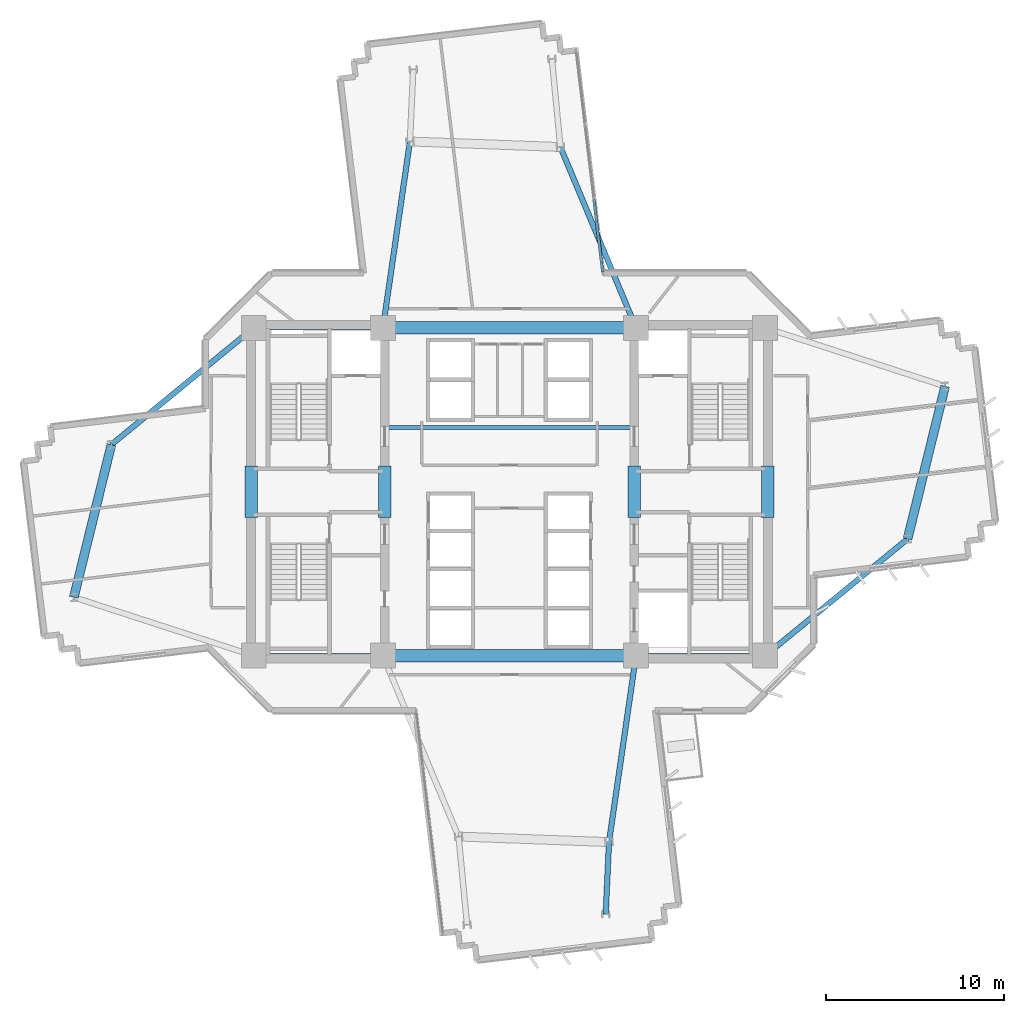
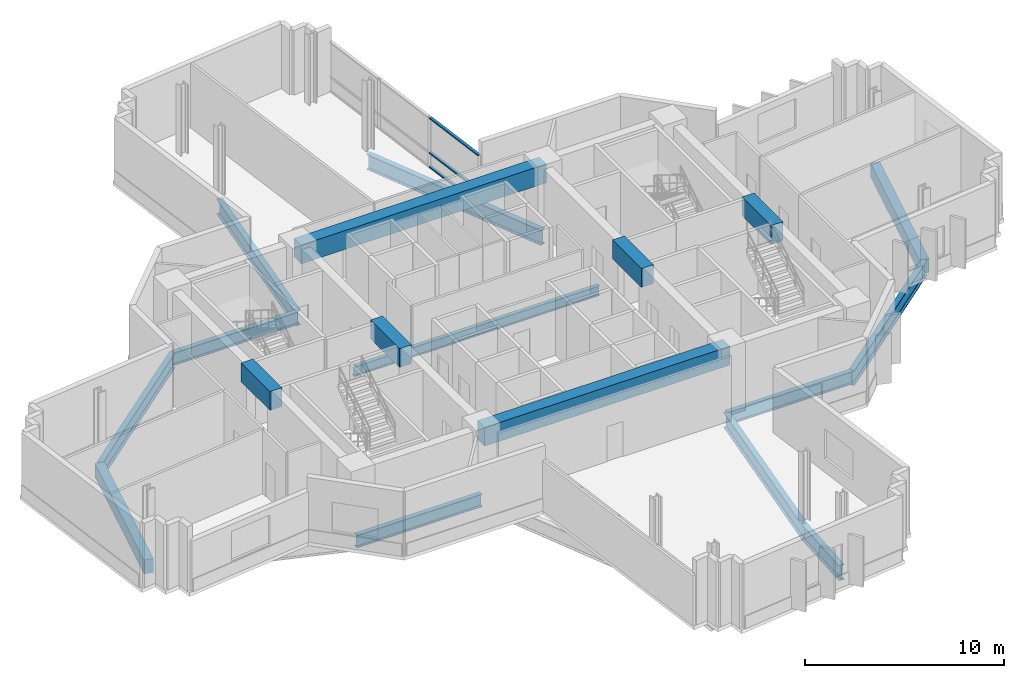
# One storey, part 3 of 15: 18 beams, 3 members, 1 element without a shape of its own.
"""IFC4 building model written with IfcOpenShell, lengths in metres."""

from ifc_helpers import new_model, si_unit, direction, frame, origin, origin_2d, place, context, subcontext, project, spatial, rectangle, i_section, extrude, source, transform, mapped, material, layer, layer_set, material_profile, profile_set, type_object, element, aggregate, save


model = new_model("IFC4")

# Units and contexts
model_context = context("Model", 3, precision=1e-05, world=origin(), true_north=direction((0.0, 1.0)))
body_context = subcontext(model_context, "Body", "Model", "MODEL_VIEW")
ifc_project = project(units=[si_unit("LENGTHUNIT", "METRE"), si_unit("AREAUNIT", "SQUARE_METRE"), si_unit("VOLUMEUNIT", "CUBIC_METRE"), si_unit("PLANEANGLEUNIT", "RADIAN"), si_unit("MASSUNIT", "GRAM", prefix="KILO")], contexts=[model_context])

# Site, building, storey
site_placement = place(None, origin())
site = spatial("IfcSite", under=ifc_project, at=site_placement, CompositionType="ELEMENT")
building_placement = place(site_placement, origin())
building = spatial("IfcBuilding", under=site, at=building_placement, Name="Zahravan Cultural Tower", CompositionType="ELEMENT")
storey_placement = place(building_placement, frame((0.0, 0.0, 113.10009765625)))
storey = spatial("IfcBuildingStorey", under=building, at=storey_placement, Name="L25", CompositionType="ELEMENT", Elevation=113.10009765625)

# Beams
ifc_material_1 = material(Name="Concrete C50/60", Category="concrete")
ifc_material_profile_1 = material_profile(ifc_material_1, rectangle(XDim=0.699951171875, YDim=1.14990234375, at=origin_2d()), Name="RC700X1150")
ifc_profile_set_1 = profile_set([ifc_material_profile_1], Name="Concrete C50/60")
beam_type_1 = type_object("IfcBeamType", Name="BM-LN-RC700X1150", PredefinedType="LINTEL", material=ifc_profile_set_1)
shared_shape_1 = source(origin(), body_context, "Body", "SweptSolid", [
    extrude(rectangle(XDim=0.699951171875, YDim=1.14990234375, at=origin_2d()), origin(), (0.0, 0.0, 1.0), 14.2001953125),
])
for number, where, z_axis, x_axis, name in (
    (1, (28.89990234375, 17.800048828125, 3.375), (1.0, 0.0, 0.0), (0.0, 1.0, 0.0), "L25 Beam LN-L25-S"),
    (2, (28.89990234375, 36.199951171875, 3.375), (1.0, 0.0, 0.0), (0.0, 1.0, 0.0), "L25 Beam LN-L25-N"),
):
    element("IfcBeam", number, at=place(storey_placement, frame(where, z_axis=z_axis, x_axis=x_axis)), inside=storey, type_object=beam_type_1, Name=name, PredefinedType="LINTEL", context=body_context, shape_type="MappedRepresentation", body=[
        mapped(shared_shape_1, transform((0.0, 0.0, 0.0), x_axis=(1.0, 0.0, 0.0), y_axis=(0.0, 1.0, 0.0), z_axis=(0.0, 0.0, 1.0), scale=1.0)),
    ])
shared_shape_2 = source(origin(), body_context, "Body", "SweptSolid", [
    extrude(rectangle(XDim=0.699951171875, YDim=1.14990234375, at=origin_2d()), origin(), (0.0, 0.0, 1.0), 2.89990234375),
])
for number, where, z_axis, x_axis, name in (
    (3, (21.5, 25.550048828125, 3.375), (0.0, 1.0, 0.0), (-1.0, 0.0, 0.0), "L25 Beam LN-L25-PWW"),
    (4, (29.0, 25.550048828125, 3.375), (0.0, 1.0, 0.0), (-1.0, 0.0, 0.0), "L25 Beam LN-L25-PWE"),
    (5, (43.0, 25.550048828125, 3.375), (0.0, 1.0, 0.0), (-1.0, 0.0, 0.0), "L25 Beam LN-L25-PEW"),
    (6, (50.5, 25.550048828125, 3.375), (0.0, 1.0, 0.0), (-1.0, 0.0, 0.0), "L25 Beam LN-L25-PEE"),
):
    element("IfcBeam", number, at=place(storey_placement, frame(where, z_axis=z_axis, x_axis=x_axis)), inside=storey, type_object=beam_type_1, Name=name, PredefinedType="LINTEL", context=body_context, shape_type="MappedRepresentation", body=[
        mapped(shared_shape_2, transform((0.0, 0.0, 0.0), x_axis=(1.0, 0.0, 0.0), y_axis=(0.0, 1.0, 0.0), z_axis=(0.0, 0.0, 1.0), scale=1.0)),
    ])
ifc_material_2 = material(Name="Steel ASTM A992 Grade 50", Category="steel")
ifc_material_profile_2 = material_profile(ifc_material_2, i_section(OverallWidth=0.26611328125, OverallDepth=0.780029296875, WebThickness=0.0166015625, FlangeThickness=0.030029296875, FilletRadius=0.01904296875, at=origin_2d()), Name="W30X148")
ifc_profile_set_2 = profile_set([ifc_material_profile_2], Name="Steel ASTM A992 Grade 50")
beam_type_2 = type_object("IfcBeamType", Name="BM-G-W30X148", PredefinedType="BEAM", material=ifc_profile_set_2)
shared_shape_3 = source(origin(), body_context, "Body", "SweptSolid", [
    extrude(i_section(OverallWidth=0.26611328125, OverallDepth=0.780029296875, WebThickness=0.0166015625, FlangeThickness=0.030029296875, FilletRadius=0.01904296875, at=origin_2d()), origin(), (0.0, 0.0, 1.0), 7.25),
])
for number, where, z_axis, x_axis, name in (
    (7, (21.64990234375, 17.800048828125, -0.64013671875), (1.0, 0.0, 0.0), (0.0, 1.0, 0.0), "L25 Beam BG-L25-01"),
    (8, (21.64990234375, 36.199951171875, -0.64013671875), (1.0, 0.0, 0.0), (0.0, 1.0, 0.0), "L25 Beam BG-L25-02"),
    (9, (43.10009765625, 17.800048828125, -0.64013671875), (1.0, 0.0, 0.0), (0.0, 1.0, 0.0), "L25 Beam BG-L25-04"),
):
    element("IfcBeam", number, at=place(storey_placement, frame(where, z_axis=z_axis, x_axis=x_axis)), inside=storey, type_object=beam_type_2, Name=name, PredefinedType="BEAM", context=body_context, shape_type="MappedRepresentation", body=[
        mapped(shared_shape_3, transform((0.0, 0.0, 0.0), x_axis=(1.0, 0.0, 0.0), y_axis=(0.0, 1.0, 0.0), z_axis=(0.0, 0.0, 1.0), scale=1.0)),
    ])
ifc_material_profile_3 = material_profile(ifc_material_2, i_section(OverallWidth=0.30908203125, OverallDepth=0.931884765625, WebThickness=0.02099609375, FlangeThickness=0.034423828125, FilletRadius=0.02392578125, at=origin_2d()), Name="W36X210")
ifc_profile_set_3 = profile_set([ifc_material_profile_3], Name="Steel ASTM A992 Grade 50")
beam_type_3 = type_object("IfcBeamType", Name="BM-G-W36X210", PredefinedType="BEAM", material=ifc_profile_set_3)
shared_shape_4 = source(origin(), body_context, "Body", "SweptSolid", [
    extrude(i_section(OverallWidth=0.30908203125, OverallDepth=0.931884765625, WebThickness=0.02099609375, FlangeThickness=0.034423828125, FilletRadius=0.02392578125, at=origin_2d()), origin(), (0.0, 0.0, 1.0), 10.997802734375),
])
beam_1_placement = place(storey_placement, frame((43.10009765625, 36.199951171875, -0.716064453125), z_axis=(-0.385775211449, 0.922592806297, 0.0), x_axis=(-0.922592806297, -0.385775211449, 0.0)))
element("IfcBeam", 10, at=beam_1_placement, inside=storey, type_object=beam_type_3, Name="L25 Beam BG-L25-12", PredefinedType="BEAM", context=body_context, shape_type="MappedRepresentation", body=[
    mapped(shared_shape_4, transform((0.0, 0.0, 0.0), x_axis=(1.0, 0.0, 0.0), y_axis=(0.0, 1.0, 0.0), z_axis=(0.0, 0.0, 1.0), scale=1.0)),
])
shared_shape_5 = source(origin(), body_context, "Body", "SweptSolid", [
    extrude(i_section(OverallWidth=0.30908203125, OverallDepth=0.931884765625, WebThickness=0.02099609375, FlangeThickness=0.034423828125, FilletRadius=0.02392578125, at=origin_2d()), origin(), (0.0, 0.0, 1.0), 10.5673828125),
])
for number, where, z_axis, x_axis, name in (
    (11, (43.10009765625, 17.800048828125, -0.716064453125), (-0.143377913539, -0.989668011966, 0.0), (0.989668011966, -0.143377913539, 0.0), "L25 Beam BG-L25-09"),
    (12, (28.89990234375, 36.199951171875, -0.716064453125), (0.143377913539, 0.989668011966, 0.0), (-0.989668011966, 0.143377913539, 0.0), "L25 Beam BG-L25-13"),
):
    element("IfcBeam", number, at=place(storey_placement, frame(where, z_axis=z_axis, x_axis=x_axis)), inside=storey, type_object=beam_type_3, Name=name, PredefinedType="BEAM", context=body_context, shape_type="MappedRepresentation", body=[
        mapped(shared_shape_5, transform((0.0, 0.0, 0.0), x_axis=(1.0, 0.0, 0.0), y_axis=(0.0, 1.0, 0.0), z_axis=(0.0, 0.0, 1.0), scale=1.0)),
    ])
shared_shape_6 = source(origin(), body_context, "Body", "SweptSolid", [
    extrude(i_section(OverallWidth=0.30908203125, OverallDepth=0.931884765625, WebThickness=0.02099609375, FlangeThickness=0.034423828125, FilletRadius=0.02392578125, at=origin_2d()), origin(), (0.0, 0.0, 1.0), 10.33203125),
])
for number, where, z_axis, x_axis, name in (
    (13, (50.35009765625, 17.800048828125, -0.716064453125), (0.773231409473, 0.634123952713, 0.0), (-0.634123952713, 0.773231409473, 0.0), "L25 Beam BG-L25-10"),
    (14, (21.64990234375, 36.199951171875, -0.716064453125), (-0.773231409473, -0.634123952713, 0.0), (0.634123952713, -0.773231409473, 0.0), "L25 Beam BG-L25-14"),
):
    element("IfcBeam", number, at=place(storey_placement, frame(where, z_axis=z_axis, x_axis=x_axis)), inside=storey, type_object=beam_type_3, Name=name, PredefinedType="BEAM", context=body_context, shape_type="MappedRepresentation", body=[
        mapped(shared_shape_6, transform((0.0, 0.0, 0.0), x_axis=(1.0, 0.0, 0.0), y_axis=(0.0, 1.0, 0.0), z_axis=(0.0, 0.0, 1.0), scale=1.0)),
    ])
shared_shape_7 = source(origin(), body_context, "Body", "SweptSolid", [
    extrude(i_section(OverallWidth=0.30908203125, OverallDepth=0.931884765625, WebThickness=0.02099609375, FlangeThickness=0.034423828125, FilletRadius=0.02392578125, at=origin_2d()), origin(), (0.0, 0.0, 1.0), 4.0537109375),
])
beam_2_placement = place(storey_placement, frame((41.5849609375, 7.341796875, -0.716064453125), z_axis=(-0.045770994677, -0.998951958828, 0.0), x_axis=(0.998951958828, -0.045770994677, 0.0)))
element("IfcBeam", 15, at=beam_2_placement, inside=storey, type_object=beam_type_3, Name="L25 Beam BG-L25-18", PredefinedType="BEAM", context=body_context, shape_type="MappedRepresentation", body=[
    mapped(shared_shape_7, transform((0.0, 0.0, 0.0), x_axis=(1.0, 0.0, 0.0), y_axis=(0.0, 1.0, 0.0), z_axis=(0.0, 0.0, 1.0), scale=1.0)),
])
ifc_material_profile_4 = material_profile(ifc_material_1, rectangle(XDim=0.5, YDim=0.85009765625, at=origin_2d()), Name="RC500X850")
ifc_profile_set_4 = profile_set([ifc_material_profile_4], Name="Concrete C50/60")
beam_type_4 = type_object("IfcBeamType", Name="BM-SP-RC500X850", PredefinedType="SPANDREL", material=ifc_profile_set_4)
shared_shape_8 = source(origin(), body_context, "Body", "SweptSolid", [
    extrude(rectangle(XDim=0.5, YDim=0.85009765625, at=origin_2d()), origin(), (0.0, 0.0, 1.0), 8.8232421875),
])
for number, where, z_axis, x_axis, name in (
    (16, (58.339111328125, 24.351806640625, -0.675048828125), (0.238848860516, 0.971056755206, 0.0), (-0.971056755206, 0.238848860516, 0.0), "L25 Beam SP-L25-20"),
    (17, (13.660888671875, 29.648193359375, -0.675048828125), (-0.238848860516, -0.971056755206, 0.0), (0.971056755206, -0.238848860516, 0.0), "L25 Beam SP-L25-22"),
):
    element("IfcBeam", number, at=place(storey_placement, frame(where, z_axis=z_axis, x_axis=x_axis)), inside=storey, type_object=beam_type_4, Name=name, PredefinedType="SPANDREL", context=body_context, shape_type="MappedRepresentation", body=[
        mapped(shared_shape_8, transform((0.0, 0.0, 0.0), x_axis=(1.0, 0.0, 0.0), y_axis=(0.0, 1.0, 0.0), z_axis=(0.0, 0.0, 1.0), scale=1.0)),
    ])
ifc_material_profile_5 = material_profile(ifc_material_2, i_section(OverallWidth=0.22802734375, OverallDepth=0.60302734375, WebThickness=0.010498046875, FlangeThickness=0.014892578125, FilletRadius=0.014892578125, at=origin_2d()), Name="W24X68")
ifc_profile_set_5 = profile_set([ifc_material_profile_5], Name="Steel ASTM A992 Grade 50")
beam_type_5 = type_object("IfcBeamType", Name="BM-J-W24X68", PredefinedType="JOIST", material=ifc_profile_set_5)
shared_shape_9 = source(origin(), body_context, "Body", "SweptSolid", [
    extrude(i_section(OverallWidth=0.22802734375, OverallDepth=0.60302734375, WebThickness=0.010498046875, FlangeThickness=0.014892578125, FilletRadius=0.014892578125, at=origin_2d()), origin(), (0.0, 0.0, 1.0), 14.2001953125),
])
beam_3_placement = place(storey_placement, frame((28.89990234375, 30.60009765625, -0.551513671875), z_axis=(1.0, 0.0, 0.0), x_axis=(0.0, 1.0, 0.0)))
element("IfcBeam", 18, at=beam_3_placement, inside=storey, type_object=beam_type_5, Name="L25 Beam BJ-L25-23", PredefinedType="JOIST", context=body_context, shape_type="MappedRepresentation", body=[
    mapped(shared_shape_9, transform((0.0, 0.0, 0.0), x_axis=(1.0, 0.0, 0.0), y_axis=(0.0, 1.0, 0.0), z_axis=(0.0, 0.0, 1.0), scale=1.0)),
])

# Curtain wall, members
ifc_material_3 = material(Name="Anodised bronze-aluminium mullion", Category="aluminium")
ifc_layer = layer(ifc_material_3, 0.219970703125)
ifc_layer_set = layer_set([ifc_layer], Name="Anodised bronze-aluminium mullion")
curtain_wall_type = type_object("IfcCurtainWallType", Name="CW-SYS-1", PredefinedType="USERDEFINED", material=ifc_layer_set)
curtain_wall_placement = place(storey_placement, origin())
curtain_wall = element("IfcCurtainWall", 19, at=curtain_wall_placement, inside=storey, type_object=curtain_wall_type, Name="L25 Recessed Curtain Wall CW-1.2", ObjectType="RECESSED GLAZING", PredefinedType="USERDEFINED")
ifc_material_profile_6 = material_profile(ifc_material_3, rectangle(XDim=0.159912109375, YDim=0.080078125, at=origin_2d()), Name="AL-T80X160")
ifc_profile_set_6 = profile_set([ifc_material_profile_6], Name="Anodised bronze-aluminium mullion")
member_type = type_object("IfcMemberType", Name="CWT-CW-1", PredefinedType="USERDEFINED", material=ifc_profile_set_6)
shared_shape_10 = source(origin(), body_context, "Body", "SweptSolid", [
    extrude(rectangle(XDim=0.159912109375, YDim=0.080078125, at=origin_2d()), origin(), (0.0, 0.0, 1.0), 4.083740234375),
])
member_1_placement = place(storey_placement, frame((40.7412109375, 43.39404296875, 0.039794921875), z_axis=(0.119088643022, -0.992883626163, 0.0), x_axis=(0.992883626163, 0.119088643022, 0.0)))
member_1 = element("IfcMember", 20, at=member_1_placement, type_object=member_type, Name="CW-1 transom 3.1", ObjectType="TRANSOM", PredefinedType="USERDEFINED", context=body_context, shape_type="MappedRepresentation", body=[
    mapped(shared_shape_10, transform((0.0, 0.0, 0.0), x_axis=(1.0, 0.0, 0.0), y_axis=(0.0, 1.0, 0.0), z_axis=(0.0, 0.0, 1.0), scale=1.0)),
])
member_2_placement = place(storey_placement, frame((40.7412109375, 43.39404296875, 0.89990234375), z_axis=(0.119088643022, -0.992883626163, 0.0), x_axis=(0.992883626163, 0.119088643022, 0.0)))
member_2 = element("IfcMember", 21, at=member_2_placement, type_object=member_type, Name="CW-1 transom 3.2", ObjectType="TRANSOM", PredefinedType="USERDEFINED", context=body_context, shape_type="MappedRepresentation", body=[
    mapped(shared_shape_10, transform((0.0, 0.0, 0.0), x_axis=(1.0, 0.0, 0.0), y_axis=(0.0, 1.0, 0.0), z_axis=(0.0, 0.0, 1.0), scale=1.0)),
])
member_3_placement = place(storey_placement, frame((40.7412109375, 43.39404296875, 3.02978515625), z_axis=(0.119088643022, -0.992883626163, 0.0), x_axis=(0.992883626163, 0.119088643022, 0.0)))
member_3 = element("IfcMember", 22, at=member_3_placement, type_object=member_type, Name="CW-1 transom 3.3", ObjectType="TRANSOM", PredefinedType="USERDEFINED", context=body_context, shape_type="MappedRepresentation", body=[
    mapped(shared_shape_10, transform((0.0, 0.0, 0.0), x_axis=(1.0, 0.0, 0.0), y_axis=(0.0, 1.0, 0.0), z_axis=(0.0, 0.0, 1.0), scale=1.0)),
])
aggregate(curtain_wall, [member_1, member_2, member_3])

save(model, "model.ifc")
